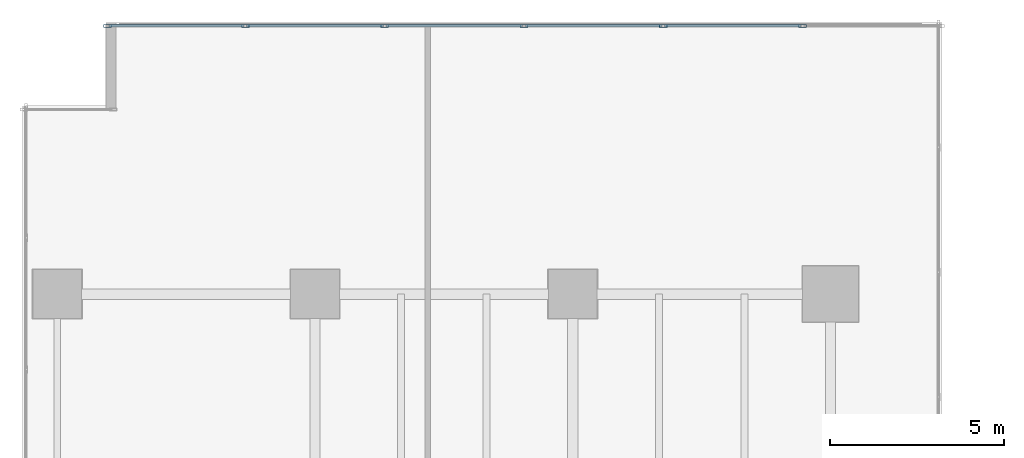
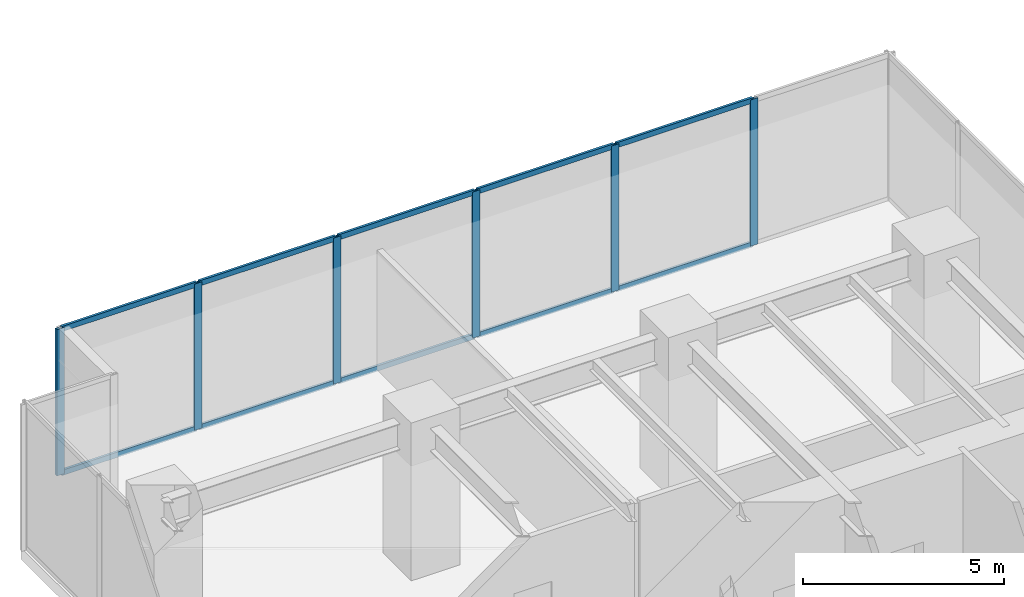
# One storey, part 15 of 33: 16 members, 1 element without a shape of its own.
"""IFC4 building model written with IfcOpenShell, lengths in metres."""

from ifc_helpers import new_model, si_unit, direction, frame, origin, origin_2d, place, context, subcontext, project, spatial, hollow_rectangle, extrude, source, transform, mapped, material, layer, layer_set, material_profile, profile_set, type_object, type_shapes, element, aggregate, save


model = new_model("IFC4")

# Units and contexts
model_context = context("Model", 3, precision=1e-05, world=origin(), true_north=direction((0.0, 1.0)))
body_context = subcontext(model_context, "Body", "Model", "MODEL_VIEW")
ifc_project = project(units=[si_unit("LENGTHUNIT", "METRE"), si_unit("AREAUNIT", "SQUARE_METRE"), si_unit("VOLUMEUNIT", "CUBIC_METRE"), si_unit("PLANEANGLEUNIT", "RADIAN"), si_unit("MASSUNIT", "GRAM", prefix="KILO")], contexts=[model_context])

# Site, building, storey
site_placement = place(None, origin())
site = spatial("IfcSite", under=ifc_project, at=site_placement, CompositionType="ELEMENT")
building_placement = place(site_placement, origin())
building = spatial("IfcBuilding", under=site, at=building_placement, Name="Haelvirn Gate Laboratories", CompositionType="ELEMENT")
storey_placement = place(building_placement, frame((0.0, 0.0, 10.199951171875)))
storey = spatial("IfcBuildingStorey", under=building, at=storey_placement, Name="L03", CompositionType="ELEMENT", Elevation=10.199951171875)

# Curtain wall, members
ifc_material_1 = material(Name="Anodised bronze unitised aluminium & triple low-E glass", Category="aluminium")
ifc_layer = layer(ifc_material_1, 0.18798828125, Name="CW-SYS-1")
ifc_layer_set = layer_set([ifc_layer], Name="Anodised bronze unitised aluminium & triple low-E glass")
curtain_wall_type = type_object("IfcCurtainWallType", Name="CW-SYS-1", PredefinedType="NOTDEFINED", material=ifc_layer_set)
curtain_wall_placement = place(storey_placement, origin())
curtain_wall = element("IfcCurtainWall", 1, at=curtain_wall_placement, inside=storey, type_object=curtain_wall_type, Name="L03 Unitised Curtain Wall CW-L03-P0-E02-1", PredefinedType="NOTDEFINED")
ifc_material_2 = material(Name="Extruded aluminium 6063-T6 (anodised bronze)", Category="aluminium")
ifc_material_profile_1 = material_profile(ifc_material_2, hollow_rectangle(XDim=0.070068359375, YDim=0.159912109375, WallThickness=0.0048828125, at=origin_2d()), Name="CWT-160x70x5")
ifc_profile_set_1 = profile_set([ifc_material_profile_1], Name="Extruded aluminium 6063-T6 (anodised bronze)")
member_type_1 = type_object("IfcMemberType", Name="CWT-T160", PredefinedType="USERDEFINED", material=ifc_profile_set_1)
shared_shape_1 = source(origin(), body_context, "Body", "SweptSolid", [
    extrude(hollow_rectangle(XDim=0.070068359375, YDim=0.159912109375, WallThickness=0.0048828125, at=origin_2d()), origin(), (0.0, 0.0, 1.0), 3.880126953125),
])
member_1_placement = place(storey_placement, frame((1.47998046875, 49.300048828125, 0.03515625), z_axis=(1.0, 0.0, 0.0), x_axis=(0.0, 1.0, 0.0)))
member_1 = element("IfcMember", 2, at=member_1_placement, type_object=member_type_1, Name="CW1 transom 1.1", ObjectType="TRANSOM", PredefinedType="USERDEFINED", context=body_context, shape_type="MappedRepresentation", body=[
    mapped(shared_shape_1, transform((0.0, 0.0, 0.0), scale=1.0)),
])
member_2_placement = place(storey_placement, frame((1.47998046875, 49.300048828125, 4.4150390625), z_axis=(1.0, 0.0, 0.0), x_axis=(0.0, 1.0, 0.0)))
member_2 = element("IfcMember", 3, at=member_2_placement, type_object=member_type_1, Name="CW1 transom 1.2", ObjectType="TRANSOM", PredefinedType="USERDEFINED", context=body_context, shape_type="MappedRepresentation", body=[
    mapped(shared_shape_1, transform((0.0, 0.0, 0.0), scale=1.0)),
])
shared_shape_2 = source(origin(), body_context, "Body", "SweptSolid", [
    extrude(hollow_rectangle(XDim=0.070068359375, YDim=0.159912109375, WallThickness=0.0048828125, at=origin_2d()), origin(), (0.0, 0.0, 1.0), 3.920166015625),
])
type_shapes(member_type_1, [shared_shape_1, shared_shape_2])
member_3_placement = place(storey_placement, frame((5.43994140625, 49.300048828125, 0.03515625), z_axis=(1.0, 0.0, 0.0), x_axis=(0.0, 1.0, 0.0)))
member_3 = element("IfcMember", 4, at=member_3_placement, type_object=member_type_1, Name="CW1 transom 2.1", ObjectType="TRANSOM", PredefinedType="USERDEFINED", context=body_context, shape_type="MappedRepresentation", body=[
    mapped(shared_shape_2, transform((0.0, 0.0, 0.0), scale=1.0)),
])
member_4_placement = place(storey_placement, frame((5.43994140625, 49.300048828125, 4.4150390625), z_axis=(1.0, 0.0, 0.0), x_axis=(0.0, 1.0, 0.0)))
member_4 = element("IfcMember", 5, at=member_4_placement, type_object=member_type_1, Name="CW1 transom 2.2", ObjectType="TRANSOM", PredefinedType="USERDEFINED", context=body_context, shape_type="MappedRepresentation", body=[
    mapped(shared_shape_2, transform((0.0, 0.0, 0.0), scale=1.0)),
])
member_5_placement = place(storey_placement, frame((9.43994140625, 49.300048828125, 0.03515625), z_axis=(1.0, 0.0, 0.0), x_axis=(0.0, 1.0, 0.0)))
member_5 = element("IfcMember", 6, at=member_5_placement, type_object=member_type_1, Name="CW1 transom 3.1", ObjectType="TRANSOM", PredefinedType="USERDEFINED", context=body_context, shape_type="MappedRepresentation", body=[
    mapped(shared_shape_2, transform((0.0, 0.0, 0.0), scale=1.0)),
])
member_6_placement = place(storey_placement, frame((9.43994140625, 49.300048828125, 4.4150390625), z_axis=(1.0, 0.0, 0.0), x_axis=(0.0, 1.0, 0.0)))
member_6 = element("IfcMember", 7, at=member_6_placement, type_object=member_type_1, Name="CW1 transom 3.2", ObjectType="TRANSOM", PredefinedType="USERDEFINED", context=body_context, shape_type="MappedRepresentation", body=[
    mapped(shared_shape_2, transform((0.0, 0.0, 0.0), scale=1.0)),
])
member_7_placement = place(storey_placement, frame((13.43994140625, 49.300048828125, 0.03515625), z_axis=(1.0, 0.0, 0.0), x_axis=(0.0, 1.0, 0.0)))
member_7 = element("IfcMember", 8, at=member_7_placement, type_object=member_type_1, Name="CW1 transom 4.1", ObjectType="TRANSOM", PredefinedType="USERDEFINED", context=body_context, shape_type="MappedRepresentation", body=[
    mapped(shared_shape_2, transform((0.0, 0.0, 0.0), scale=1.0)),
])
member_8_placement = place(storey_placement, frame((13.43994140625, 49.300048828125, 4.4150390625), z_axis=(1.0, 0.0, 0.0), x_axis=(0.0, 1.0, 0.0)))
member_8 = element("IfcMember", 9, at=member_8_placement, type_object=member_type_1, Name="CW1 transom 4.2", ObjectType="TRANSOM", PredefinedType="USERDEFINED", context=body_context, shape_type="MappedRepresentation", body=[
    mapped(shared_shape_2, transform((0.0, 0.0, 0.0), scale=1.0)),
])
member_9_placement = place(storey_placement, frame((17.43994140625, 49.300048828125, 0.03515625), z_axis=(1.0, 0.0, 0.0), x_axis=(0.0, 1.0, 0.0)))
member_9 = element("IfcMember", 10, at=member_9_placement, type_object=member_type_1, Name="CW1 transom 5.1", ObjectType="TRANSOM", PredefinedType="USERDEFINED", context=body_context, shape_type="MappedRepresentation", body=[
    mapped(shared_shape_2, transform((0.0, 0.0, 0.0), scale=1.0)),
])
member_10_placement = place(storey_placement, frame((17.43994140625, 49.300048828125, 4.4150390625), z_axis=(1.0, 0.0, 0.0), x_axis=(0.0, 1.0, 0.0)))
member_10 = element("IfcMember", 11, at=member_10_placement, type_object=member_type_1, Name="CW1 transom 5.2", ObjectType="TRANSOM", PredefinedType="USERDEFINED", context=body_context, shape_type="MappedRepresentation", body=[
    mapped(shared_shape_2, transform((0.0, 0.0, 0.0), scale=1.0)),
])
ifc_material_profile_2 = material_profile(ifc_material_2, hollow_rectangle(XDim=0.080078125, YDim=0.219970703125, WallThickness=0.006103515625, at=origin_2d()), Name="CWM-220x80x6")
ifc_profile_set_2 = profile_set([ifc_material_profile_2], Name="Extruded aluminium 6063-T6 (anodised bronze)")
member_type_2 = type_object("IfcMemberType", Name="CWM-T220", PredefinedType="MULLION", material=ifc_profile_set_2)
shared_shape_3 = source(origin(), body_context, "Body", "SweptSolid", [
    extrude(hollow_rectangle(XDim=0.080078125, YDim=0.219970703125, WallThickness=0.006103515625, at=origin_2d()), origin(), (0.0, 0.0, 1.0), 4.449951171875),
])
type_shapes(member_type_2, [shared_shape_3])
member_11_placement = place(storey_placement, frame((1.43994140625, 49.300048828125, 0.0), z_axis=(0.0, 0.0, 1.0), x_axis=(0.0, 1.0, 0.0)))
member_11 = element("IfcMember", 12, at=member_11_placement, type_object=member_type_2, Name="CW1 mullion 1", PredefinedType="MULLION", context=body_context, shape_type="MappedRepresentation", body=[
    mapped(shared_shape_3, transform((0.0, 0.0, 0.0), scale=1.0)),
])
member_12_placement = place(storey_placement, frame((5.39990234375, 49.300048828125, 0.0), z_axis=(0.0, 0.0, 1.0), x_axis=(0.0, 1.0, 0.0)))
member_12 = element("IfcMember", 13, at=member_12_placement, type_object=member_type_2, Name="CW1 mullion 2", PredefinedType="MULLION", context=body_context, shape_type="MappedRepresentation", body=[
    mapped(shared_shape_3, transform((0.0, 0.0, 0.0), scale=1.0)),
])
member_13_placement = place(storey_placement, frame((9.39990234375, 49.300048828125, 0.0), z_axis=(0.0, 0.0, 1.0), x_axis=(0.0, 1.0, 0.0)))
member_13 = element("IfcMember", 14, at=member_13_placement, type_object=member_type_2, Name="CW1 mullion 3", PredefinedType="MULLION", context=body_context, shape_type="MappedRepresentation", body=[
    mapped(shared_shape_3, transform((0.0, 0.0, 0.0), scale=1.0)),
])
member_14_placement = place(storey_placement, frame((13.39990234375, 49.300048828125, 0.0), z_axis=(0.0, 0.0, 1.0), x_axis=(0.0, 1.0, 0.0)))
member_14 = element("IfcMember", 15, at=member_14_placement, type_object=member_type_2, Name="CW1 mullion 4", PredefinedType="MULLION", context=body_context, shape_type="MappedRepresentation", body=[
    mapped(shared_shape_3, transform((0.0, 0.0, 0.0), scale=1.0)),
])
member_15_placement = place(storey_placement, frame((17.39990234375, 49.300048828125, 0.0), z_axis=(0.0, 0.0, 1.0), x_axis=(0.0, 1.0, 0.0)))
member_15 = element("IfcMember", 16, at=member_15_placement, type_object=member_type_2, Name="CW1 mullion 5", PredefinedType="MULLION", context=body_context, shape_type="MappedRepresentation", body=[
    mapped(shared_shape_3, transform((0.0, 0.0, 0.0), scale=1.0)),
])
member_16_placement = place(storey_placement, frame((21.39990234375, 49.300048828125, 0.0), z_axis=(0.0, 0.0, 1.0), x_axis=(0.0, 1.0, 0.0)))
member_16 = element("IfcMember", 17, at=member_16_placement, type_object=member_type_2, Name="CW1 mullion 6", PredefinedType="MULLION", context=body_context, shape_type="MappedRepresentation", body=[
    mapped(shared_shape_3, transform((0.0, 0.0, 0.0), scale=1.0)),
])
aggregate(curtain_wall, [member_11, member_12, member_13, member_14, member_15, member_16, member_1, member_2, member_3, member_4, member_5, member_6, member_7, member_8, member_9, member_10])

save(model, "model.ifc")
